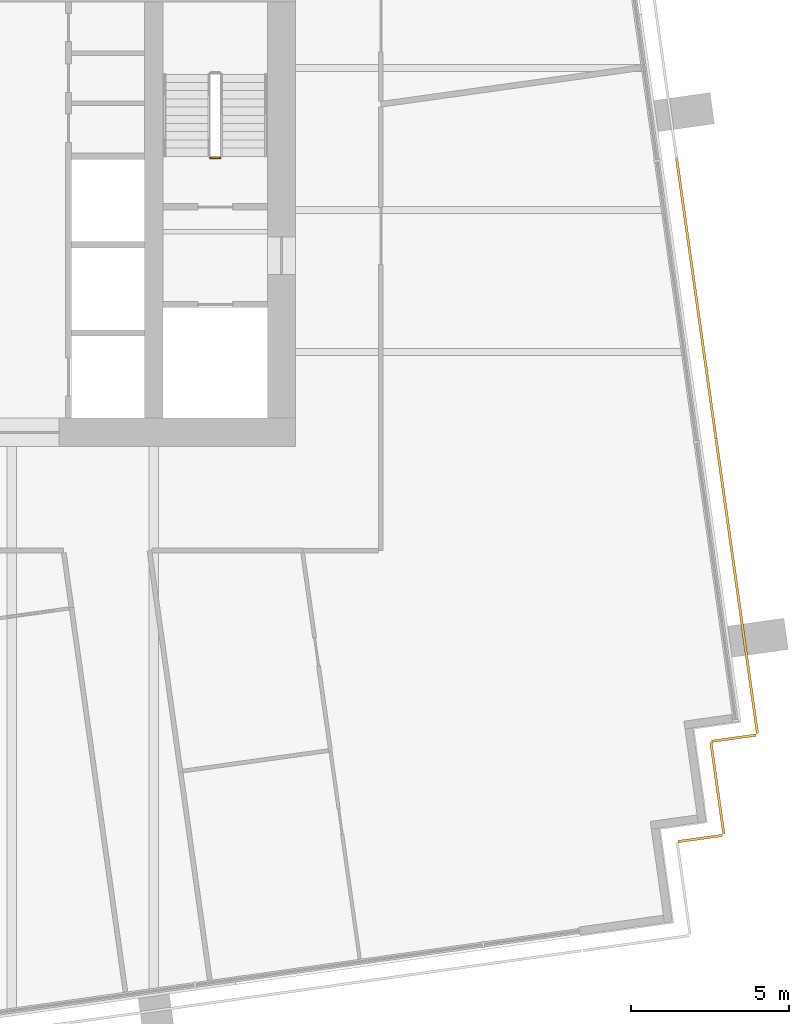
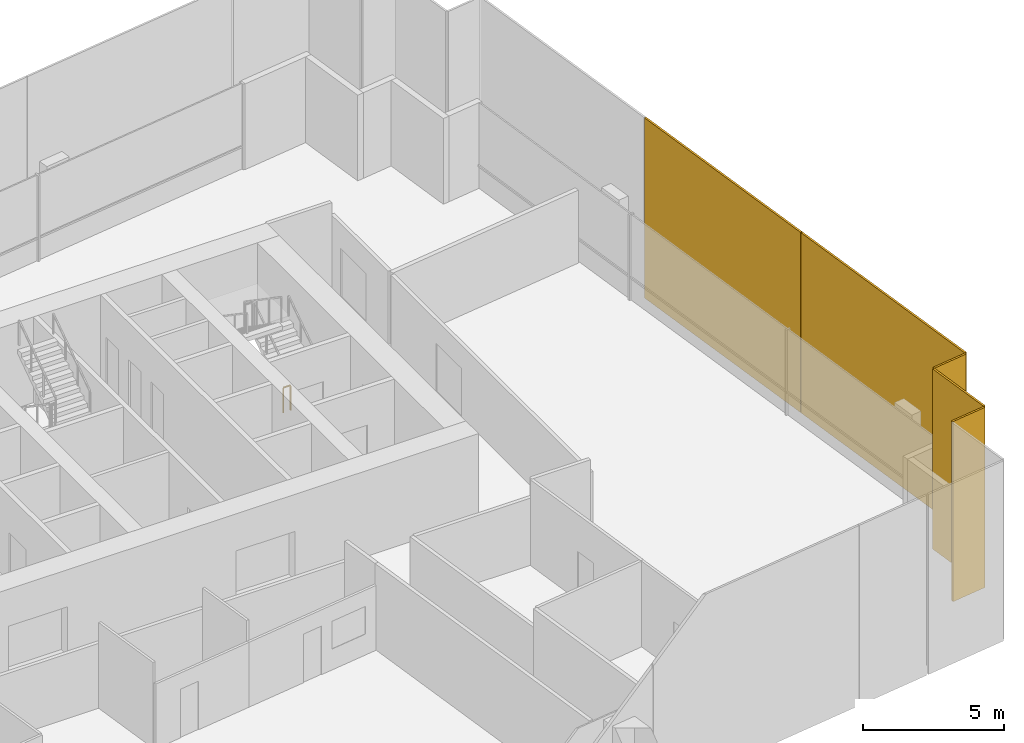
# One storey, part 15 of 17: 5 coverings, 1 railing.
"""IFC4 building model written with IfcOpenShell, lengths in metres."""

from ifc_helpers import new_model, si_unit, direction, frame, origin, origin_2d, place, context, subcontext, project, spatial, rectangle, extrude, material, layer, layer_set, type_object, element, save


model = new_model("IFC4")

# Units and contexts
model_context = context("Model", 3, precision=1e-05, world=origin(), true_north=direction((0.0, 1.0)))
body_context = subcontext(model_context, "Body", "Model", "MODEL_VIEW")
ifc_project = project(units=[si_unit("LENGTHUNIT", "METRE"), si_unit("AREAUNIT", "SQUARE_METRE"), si_unit("VOLUMEUNIT", "CUBIC_METRE"), si_unit("PLANEANGLEUNIT", "RADIAN"), si_unit("MASSUNIT", "GRAM", prefix="KILO")], contexts=[model_context])

# Site, building, storey
site_placement = place(None, origin())
site = spatial("IfcSite", under=ifc_project, at=site_placement, CompositionType="ELEMENT")
building_placement = place(site_placement, origin())
building = spatial("IfcBuilding", under=site, at=building_placement, Name="Rattan Terrace Tower", CompositionType="ELEMENT")
storey_placement = place(building_placement, frame((0.0, 0.0, 213.5)))
storey = spatial("IfcBuildingStorey", under=building, at=storey_placement, Name="L48", CompositionType="ELEMENT", Elevation=213.5)

# Railing
ifc_material_1 = material(Name="Powder-coated steel guard", Category="steel")
railing_type = type_object("IfcRailingType", Name="Core stair guard", PredefinedType="GUARDRAIL", material=ifc_material_1)
railing_placement = place(storey_placement, frame((15.60009765625, 1.64990234375, 0.0)))
element("IfcRailing", 1, at=railing_placement, inside=storey, type_object=railing_type, Name="L48 S2 stair guard 4", PredefinedType="GUARDRAIL", context=body_context, shape_type="SweptSolid", body=[
    extrude(rectangle(XDim=0.048095703125, YDim=0.048095703125, at=origin_2d()), frame((0.0, 0.0, 1.076171875), z_axis=(-1.0, 0.0, 0.0), x_axis=(0.0, -1.0, 0.0)), (0.0, 0.0, 1.0), 0.300048828125),
    extrude(rectangle(XDim=0.0419921875, YDim=0.0419921875, at=origin_2d()), origin(), (0.0, 0.0, 1.0), 1.052001953125),
    extrude(rectangle(XDim=0.0419921875, YDim=0.0419921875, at=origin_2d()), frame((-0.300048828125, 0.0, 0.0)), (0.0, 0.0, 1.0), 1.052001953125),
])

# Coverings
ifc_material_2 = material(Name="Perforated terracotta", Category="masonry")
ifc_layer = layer(ifc_material_2, 0.080078125)
ifc_layer_set = layer_set([ifc_layer], Name="Facade Terracotta Screen Panel HZ")
covering_type = type_object("IfcCoveringType", Name="Facade Terracotta Screen Panel HZ", PredefinedType="CLADDING", material=ifc_layer_set)
covering_1_placement = place(storey_placement, frame((30.8251953125, -19.927001953125, -0.18994140625), z_axis=(0.0, 0.0, 1.0), x_axis=(0.990332587523, 0.138713251317, 0.0)))
element("IfcCovering", 2, at=covering_1_placement, inside=storey, type_object=covering_type, Name="OUTER SKIN panel L48-3", PredefinedType="CLADDING", context=body_context, shape_type="SweptSolid", body=[
    extrude(rectangle(XDim=1.419677734375, YDim=0.080078125, at=origin_2d()), origin(), (0.0, 0.0, 1.0), 7.780029296875),
])
covering_2_placement = place(storey_placement, frame((31.3671875, -18.326171875, -0.18994140625), z_axis=(0.0, 0.0, 1.0), x_axis=(-0.139321220646, 0.990247240581, 0.0)))
element("IfcCovering", 3, at=covering_2_placement, inside=storey, type_object=covering_type, Name="OUTER SKIN panel L48-4", PredefinedType="CLADDING", context=body_context, shape_type="SweptSolid", body=[
    extrude(rectangle(XDim=2.92041015625, YDim=0.080078125, at=origin_2d()), origin(), (0.0, 0.0, 1.0), 7.780029296875),
])
covering_3_placement = place(storey_placement, frame((31.892578125, -16.747314453125, -0.18994140625), z_axis=(0.0, 0.0, 1.0), x_axis=(0.99025370695, 0.139275252184, 0.0)))
element("IfcCovering", 4, at=covering_3_placement, inside=storey, type_object=covering_type, Name="OUTER SKIN panel L48-5", PredefinedType="CLADDING", context=body_context, shape_type="SweptSolid", body=[
    extrude(rectangle(XDim=1.420654296875, YDim=0.080078125, at=origin_2d()), origin(), (0.0, 0.0, 1.0), 7.780029296875),
])
covering_4_placement = place(storey_placement, frame((31.984375, -11.937744140625, -0.18994140625), z_axis=(0.0, 0.0, 1.0), x_axis=(-0.139186165309, 0.990266232579, 0.0)))
element("IfcCovering", 5, at=covering_4_placement, inside=storey, type_object=covering_type, Name="OUTER SKIN panel L48-6", PredefinedType="CLADDING", context=body_context, shape_type="SweptSolid", body=[
    extrude(rectangle(XDim=9.39990234375, YDim=0.080078125, at=origin_2d()), origin(), (0.0, 0.0, 1.0), 7.780029296875),
])
covering_5_placement = place(storey_placement, frame((30.702392578125, -2.8173828125, -0.18994140625), z_axis=(0.0, 0.0, 1.0), x_axis=(-0.139186165309, 0.990266232579, 0.0)))
element("IfcCovering", 6, at=covering_5_placement, inside=storey, type_object=covering_type, Name="OUTER SKIN panel L48-7", PredefinedType="CLADDING", context=body_context, shape_type="SweptSolid", body=[
    extrude(rectangle(XDim=8.97998046875, YDim=0.080078125, at=origin_2d()), origin(), (0.0, 0.0, 1.0), 7.780029296875),
])

save(model, "model.ifc")
